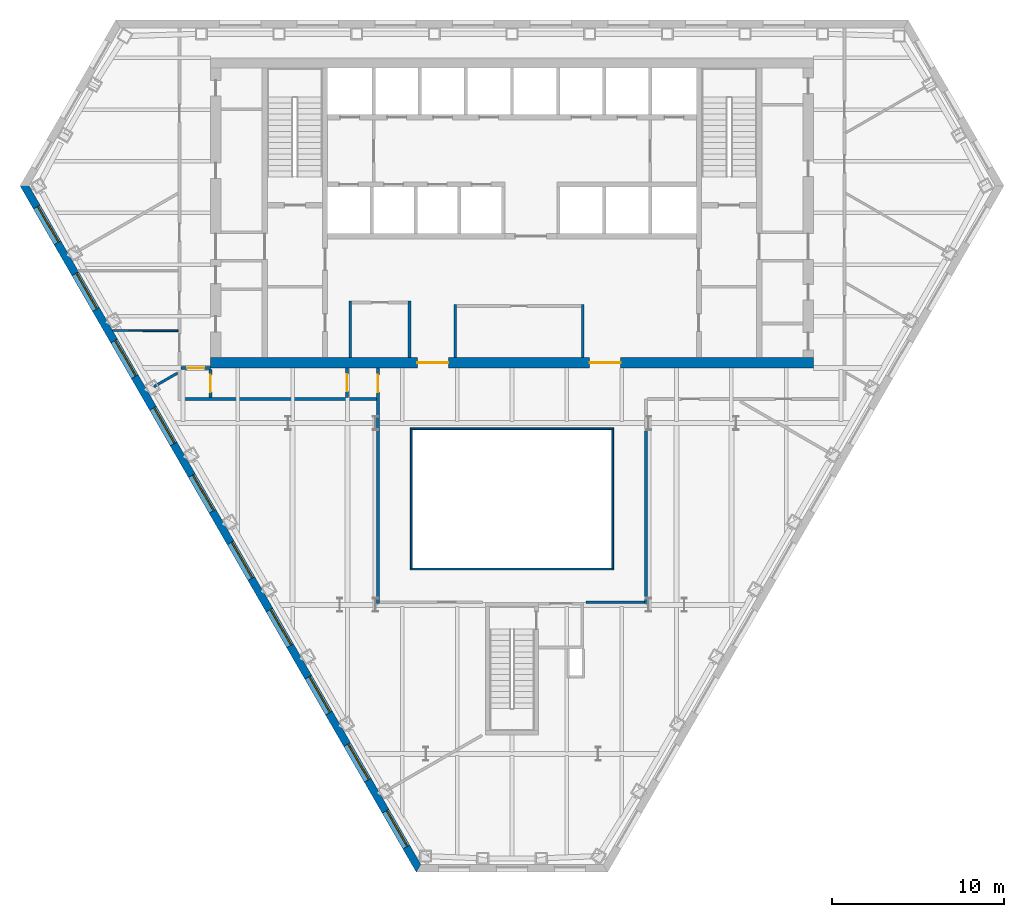
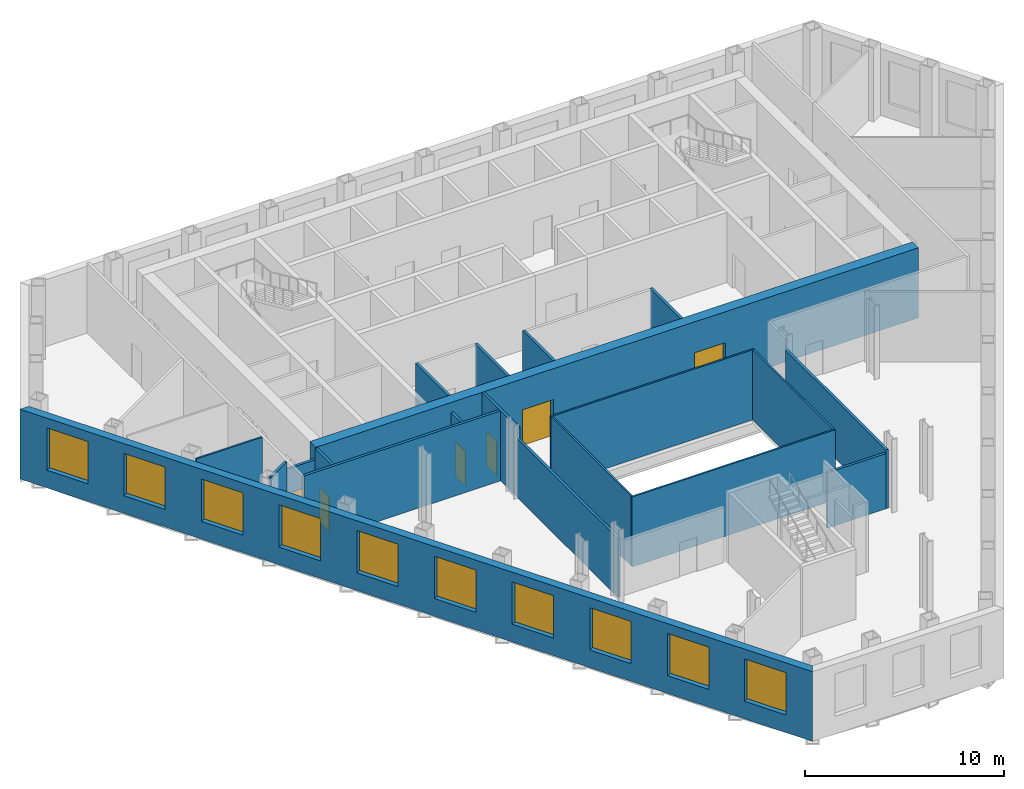
# One storey, part 5 of 12: 20 walls, 10 windows, 6 doors, 16 openings.
"""IFC4 building model written with IfcOpenShell, lengths in metres."""

from ifc_helpers import new_model, si_unit, direction, frame, frame_2d, origin, place, context, subcontext, project, spatial, polyline, rectangle, outline, extrude, material, layer, layer_set, type_object, element, fill, save


model = new_model("IFC4")

# Units and contexts
model_context = context("Model", 3, precision=1e-05, world=origin(), true_north=direction((0.0, 1.0)))
body_context = subcontext(model_context, "Body", "Model", "MODEL_VIEW")
ifc_project = project(units=[si_unit("LENGTHUNIT", "METRE"), si_unit("AREAUNIT", "SQUARE_METRE"), si_unit("VOLUMEUNIT", "CUBIC_METRE"), si_unit("PLANEANGLEUNIT", "RADIAN"), si_unit("MASSUNIT", "GRAM", prefix="KILO")], contexts=[model_context])

# Site, building, storey
site_placement = place(None, origin())
site = spatial("IfcSite", under=ifc_project, at=site_placement, CompositionType="ELEMENT")
building_placement = place(site_placement, origin())
building = spatial("IfcBuilding", under=site, at=building_placement, Name="Njiva Tower", CompositionType="ELEMENT")
storey_placement = place(building_placement, frame((0.0, 0.0, 60.3)))
storey = spatial("IfcBuildingStorey", under=building, at=storey_placement, Name="L12", CompositionType="ELEMENT", Elevation=60.3)

# Walls
ifc_material_1 = material(Name="Blockwork", Category="masonry")
ifc_layer_1 = layer(ifc_material_1, 0.15)
ifc_layer_set_1 = layer_set([ifc_layer_1], Name="Blockwork")
wall_type_1 = type_object("IfcWallType", Name="WT1 Compartment partition 150", PredefinedType="PARTITIONING", material=ifc_layer_set_1)
for number, where, z_axis, x_axis, name in (
    (1, (-9.4, 0.6, 0.0), (0.0, 0.0, 1.0), (0.0, 1.0, 0.0), "Security office wall west"),
    (2, (-5.95, 0.6, 0.0), (0.0, 0.0, 1.0), (0.0, 1.0, 0.0), "Security office wall east"),
):
    element("IfcWall", number, at=place(storey_placement, frame(where, z_axis=z_axis, x_axis=x_axis)), inside=storey, type_object=wall_type_1, Name=name, PredefinedType="PARTITIONING", context=body_context, shape_type="SweptSolid", body=[
        extrude(rectangle(XDim=3.275, YDim=0.15, at=frame_2d((1.6375, 0.0))), origin(), (0.0, 0.0, 1.0), 4.3),
    ])
for number, where, z_axis, x_axis, name in (
    (3, (-3.3, 0.6, 0.0), (0.0, 0.0, 1.0), (0.0, 1.0, 0.0), "Concierge office wall west"),
    (4, (4.1, 0.6, 0.0), (0.0, 0.0, 1.0), (0.0, 1.0, 0.0), "Concierge office wall east"),
):
    element("IfcWall", number, at=place(storey_placement, frame(where, z_axis=z_axis, x_axis=x_axis)), inside=storey, type_object=wall_type_1, Name=name, PredefinedType="PARTITIONING", context=body_context, shape_type="SweptSolid", body=[
        extrude(rectangle(XDim=3.075, YDim=0.15, at=frame_2d((1.5375, 0.0))), origin(), (0.0, 0.0, 1.0), 4.3),
    ])

# Wall, openings, doors
ifc_material_2 = material(Name="Concrete C60/75", Category="concrete")
ifc_layer_2 = layer(ifc_material_2, 0.6)
ifc_layer_set_2 = layer_set([ifc_layer_2], Name="Concrete C60/75")
wall_type_2 = type_object("IfcWallType", Name="WT15 Core wall 600", PredefinedType="SHEAR", material=ifc_layer_set_2)
wall_1_placement = place(storey_placement, frame((-17.5, 0.3, 0.0), z_axis=(0.0, 0.0, 1.0), x_axis=(1.0, 0.0, 0.0)))
wall_1 = element("IfcWall", 5, at=wall_1_placement, inside=storey, type_object=wall_type_2, Name="Core wall south", PredefinedType="SHEAR", context=body_context, shape_type="SweptSolid", body=[
    extrude(rectangle(XDim=35.0, YDim=0.6, at=frame_2d((17.5, 0.0))), origin(), (0.0, 0.0, 1.0), 4.3),
])
opening_1_placement = place(wall_1_placement, frame((12.0, 0.0, 0.0)))
opening_1 = element("IfcOpeningElement", 6, at=opening_1_placement, cuts=wall_1, Name="Opening S04-D935", PredefinedType="OPENING", context=body_context, shape_type="SweptSolid", body=[
    extrude(rectangle(XDim=1.8, YDim=2.4, at=frame_2d((0.9, 1.2))), frame((0.0, 0.31, 0.0), z_axis=(0.0, -1.0, 0.0), x_axis=(1.0, 0.0, 0.0)), (0.0, 0.0, 1.0), 0.62),
])
opening_2_placement = place(wall_1_placement, frame((22.0, 0.0, 0.0)))
opening_2 = element("IfcOpeningElement", 7, at=opening_2_placement, cuts=wall_1, Name="Opening S04-D936", PredefinedType="OPENING", context=body_context, shape_type="SweptSolid", body=[
    extrude(rectangle(XDim=1.8, YDim=2.4, at=frame_2d((0.9, 1.2))), frame((0.0, 0.31, 0.0), z_axis=(0.0, -1.0, 0.0), x_axis=(1.0, 0.0, 0.0)), (0.0, 0.0, 1.0), 0.62),
])
ifc_material_3 = material(Name="Steel and glass door", Category="steel")
door_type_1 = type_object("IfcDoorType", Name="D3 Core entrance door 1800x2400", OperationType="DOUBLE_DOOR_SINGLE_SWING", PredefinedType="DOOR", material=ifc_material_3)
door_1_placement = place(opening_1_placement, origin())
door_1 = element("IfcDoor", 8, at=door_1_placement, inside=storey, type_object=door_type_1, Name="Core entrance door", OperationType="DOUBLE_DOOR_SINGLE_SWING", OverallHeight=2.4, OverallWidth=1.8, PredefinedType="DOOR", context=body_context, shape_type="SweptSolid", body=[
    extrude(rectangle(XDim=1.8, YDim=2.4, at=frame_2d((0.9, 1.2))), frame((0.0, 0.025, 0.0), z_axis=(0.0, -1.0, 0.0), x_axis=(1.0, 0.0, 0.0)), (0.0, 0.0, 1.0), 0.05),
])
fill(opening_1, door_1)
door_2_placement = place(opening_2_placement, origin())
door_2 = element("IfcDoor", 9, at=door_2_placement, inside=storey, type_object=door_type_1, Name="Core entrance door", OperationType="DOUBLE_DOOR_SINGLE_SWING", OverallHeight=2.4, OverallWidth=1.8, PredefinedType="DOOR", context=body_context, shape_type="SweptSolid", body=[
    extrude(rectangle(XDim=1.8, YDim=2.4, at=frame_2d((0.9, 1.2))), frame((0.0, 0.025, 0.0), z_axis=(0.0, -1.0, 0.0), x_axis=(1.0, 0.0, 0.0)), (0.0, 0.0, 1.0), 0.05),
])
fill(opening_2, door_2)

# Walls
ifc_material_4 = material(Name="Gypsum board on steel studs", Category="gypsum")
ifc_layer_3 = layer(ifc_material_4, 0.1)
ifc_layer_set_3 = layer_set([ifc_layer_3], Name="Gypsum board on steel studs")
wall_type_3 = type_object("IfcWallType", Name="WT20 Gypsum partition 100", PredefinedType="PARTITIONING", material=ifc_layer_set_3)
wall_2_placement = place(storey_placement, frame((-23.185, 2.171, 0.0), z_axis=(0.0, 0.0, 1.0), x_axis=(0.999998312223, -0.00183726724, 0.0)))
element("IfcWall", 10, at=wall_2_placement, inside=storey, type_object=wall_type_3, Name="Partition S04-P003", PredefinedType="PARTITIONING", context=body_context, shape_type="SweptSolid", body=[
    extrude(rectangle(XDim=3.81, YDim=0.1, at=frame_2d((1.905, 0.0))), origin(), (0.0, 0.0, 1.0), 4.3),
])
ifc_layer_4 = layer(ifc_material_4, 0.15)
ifc_layer_set_4 = layer_set([ifc_layer_4], Name="Gypsum board on steel studs")
wall_type_4 = type_object("IfcWallType", Name="WT21 Compartment wall 150", PredefinedType="PARTITIONING", material=ifc_layer_set_4)
wall_3_placement = place(storey_placement, frame((-20.787, -1.084, 0.0), z_axis=(0.0, 0.0, 1.0), x_axis=(0.866258995887, 0.499595188173, 0.0)))
element("IfcWall", 11, at=wall_3_placement, inside=storey, type_object=wall_type_4, Name="Partition S04-P004", PredefinedType="PARTITIONING", context=body_context, shape_type="SweptSolid", body=[
    extrude(rectangle(XDim=1.5873, YDim=0.15, at=frame_2d((0.7936, 0.0))), origin(), (0.0, 0.0, 1.0), 4.3),
])
wall_4_placement = place(storey_placement, frame((-19.225, -1.8, 0.0), z_axis=(0.0, 0.0, 1.0), x_axis=(1.0, 0.0, 0.0)))
element("IfcWall", 12, at=wall_4_placement, inside=storey, type_object=wall_type_4, Name="Partition S04-P006", PredefinedType="PARTITIONING", context=body_context, shape_type="SweptSolid", body=[
    extrude(rectangle(XDim=11.37, YDim=0.15, at=frame_2d((5.685, 0.0))), origin(), (0.0, 0.0, 1.0), 4.3),
])

# Wall, opening, door
wall_5_placement = place(storey_placement, frame((-19.225, 0.0, 0.0), z_axis=(0.0, 0.0, 1.0), x_axis=(1.0, 0.0, 0.0)))
wall_5 = element("IfcWall", 13, at=wall_5_placement, inside=storey, type_object=wall_type_4, Name="Partition S04-P007", PredefinedType="PARTITIONING", context=body_context, shape_type="SweptSolid", body=[
    extrude(rectangle(XDim=1.725, YDim=0.15, at=frame_2d((0.8625, 0.0))), origin(), (0.0, 0.0, 1.0), 3.61),
])
opening_3_placement = place(wall_5_placement, frame((0.363, 0.0, 0.0)))
opening_3 = element("IfcOpeningElement", 14, at=opening_3_placement, cuts=wall_5, Name="Opening S04-D005", PredefinedType="OPENING", context=body_context, shape_type="SweptSolid", body=[
    extrude(rectangle(XDim=1.0, YDim=2.1, at=frame_2d((0.5, 1.05))), frame((0.0, 0.085, 0.0), z_axis=(0.0, -1.0, 0.0), x_axis=(1.0, 0.0, 0.0)), (0.0, 0.0, 1.0), 0.17),
])
ifc_material_5 = material(Name="Steel fire door set", Category="steel")
door_type_2 = type_object("IfcDoorType", Name="D37 Fire door 1000x2100", OperationType="SINGLE_SWING_LEFT", PredefinedType="DOOR", material=ifc_material_5)
door_3_placement = place(opening_3_placement, origin())
door_3 = element("IfcDoor", 15, at=door_3_placement, inside=storey, type_object=door_type_2, Name="Door S04-D005", OperationType="SINGLE_SWING_LEFT", OverallHeight=2.1, OverallWidth=1.0, PredefinedType="DOOR", context=body_context, shape_type="SweptSolid", body=[
    extrude(rectangle(XDim=1.0, YDim=2.1, at=frame_2d((0.5, 1.05))), frame((0.0, 0.025, 0.0), z_axis=(0.0, -1.0, 0.0), x_axis=(1.0, 0.0, 0.0)), (0.0, 0.0, 1.0), 0.05),
])
fill(opening_3, door_3)

wall_6_placement = place(storey_placement, frame((-17.5, -1.725, 0.0), z_axis=(0.0, 0.0, 1.0), x_axis=(0.0, 1.0, 0.0)))
wall_6 = element("IfcWall", 16, at=wall_6_placement, inside=storey, type_object=wall_type_4, Name="Partition S04-P008", PredefinedType="PARTITIONING", context=body_context, shape_type="SweptSolid", body=[
    extrude(rectangle(XDim=1.65, YDim=0.15, at=frame_2d((0.825, 0.0))), origin(), (0.0, 0.0, 1.0), 4.3),
])
opening_4_placement = place(wall_6_placement, frame((0.325, 0.0, 0.0)))
opening_4 = element("IfcOpeningElement", 17, at=opening_4_placement, cuts=wall_6, Name="Opening S04-D006", PredefinedType="OPENING", context=body_context, shape_type="SweptSolid", body=[
    extrude(rectangle(XDim=1.0, YDim=2.1, at=frame_2d((0.5, 1.05))), frame((0.0, 0.085, 0.0), z_axis=(0.0, -1.0, 0.0), x_axis=(1.0, 0.0, 0.0)), (0.0, 0.0, 1.0), 0.17),
])
door_4_placement = place(opening_4_placement, origin())
door_4 = element("IfcDoor", 18, at=door_4_placement, inside=storey, type_object=door_type_2, Name="Door S04-D006", OperationType="SINGLE_SWING_LEFT", OverallHeight=2.1, OverallWidth=1.0, PredefinedType="DOOR", context=body_context, shape_type="SweptSolid", body=[
    extrude(rectangle(XDim=1.0, YDim=2.1, at=frame_2d((0.5, 1.05))), frame((0.0, 0.025, 0.0), z_axis=(0.0, -1.0, 0.0), x_axis=(1.0, 0.0, 0.0)), (0.0, 0.0, 1.0), 0.05),
])
fill(opening_4, door_4)

wall_7_placement = place(storey_placement, frame((-9.58, -1.725, 0.0), z_axis=(0.0, 0.0, 1.0), x_axis=(0.0, 1.0, 0.0)))
wall_7 = element("IfcWall", 19, at=wall_7_placement, inside=storey, type_object=wall_type_4, Name="Partition S04-P009", PredefinedType="PARTITIONING", context=body_context, shape_type="SweptSolid", body=[
    extrude(rectangle(XDim=1.725, YDim=0.15, at=frame_2d((0.8625, 0.0))), origin(), (0.0, 0.0, 1.0), 3.7),
])
opening_5_placement = place(wall_7_placement, frame((0.363, 0.0, 0.0)))
opening_5 = element("IfcOpeningElement", 20, at=opening_5_placement, cuts=wall_7, Name="Opening S04-D007", PredefinedType="OPENING", context=body_context, shape_type="SweptSolid", body=[
    extrude(rectangle(XDim=1.0, YDim=2.1, at=frame_2d((0.5, 1.05))), frame((0.0, 0.085, 0.0), z_axis=(0.0, -1.0, 0.0), x_axis=(1.0, 0.0, 0.0)), (0.0, 0.0, 1.0), 0.17),
])
door_5_placement = place(opening_5_placement, origin())
door_5 = element("IfcDoor", 21, at=door_5_placement, inside=storey, type_object=door_type_2, Name="Door S04-D007", OperationType="SINGLE_SWING_LEFT", OverallHeight=2.1, OverallWidth=1.0, PredefinedType="DOOR", context=body_context, shape_type="SweptSolid", body=[
    extrude(rectangle(XDim=1.0, YDim=2.1, at=frame_2d((0.5, 1.05))), frame((0.0, 0.025, 0.0), z_axis=(0.0, -1.0, 0.0), x_axis=(1.0, 0.0, 0.0)), (0.0, 0.0, 1.0), 0.05),
])
fill(opening_5, door_5)

# Wall
wall_8_placement = place(storey_placement, frame((-7.78, -13.675, 0.0), z_axis=(0.0, 0.0, 1.0), x_axis=(0.0, 1.0, 0.0)))
element("IfcWall", 22, at=wall_8_placement, inside=storey, type_object=wall_type_4, Name="Partition S04-P010", PredefinedType="PARTITIONING", context=body_context, shape_type="SweptSolid", body=[
    extrude(rectangle(XDim=10.118, YDim=0.15, at=frame_2d((5.059, 0.0))), origin(), (0.0, 0.0, 1.0), 3.61),
])

# Wall, opening, door
wall_9_placement = place(storey_placement, frame((-7.78, -3.557, 0.0), z_axis=(0.0, 0.0, 1.0), x_axis=(0.0, 1.0, 0.0)))
wall_9 = element("IfcWall", 23, at=wall_9_placement, inside=storey, type_object=wall_type_4, Name="Partition S04-P010A", PredefinedType="PARTITIONING", context=body_context, shape_type="SweptSolid", body=[
    extrude(rectangle(XDim=3.557, YDim=0.15, at=frame_2d((1.7785, 0.0))), origin(), (0.0, 0.0, 1.0), 4.3),
])
opening_6_placement = place(wall_9_placement, frame((2.157, 0.0, 0.0)))
opening_6 = element("IfcOpeningElement", 24, at=opening_6_placement, cuts=wall_9, Name="Opening S04-D008", PredefinedType="OPENING", context=body_context, shape_type="SweptSolid", body=[
    extrude(rectangle(XDim=1.0, YDim=2.1, at=frame_2d((0.5, 1.05))), frame((0.0, 0.085, 0.0), z_axis=(0.0, -1.0, 0.0), x_axis=(1.0, 0.0, 0.0)), (0.0, 0.0, 1.0), 0.17),
])
door_6_placement = place(opening_6_placement, origin())
door_6 = element("IfcDoor", 25, at=door_6_placement, inside=storey, type_object=door_type_2, Name="Door S04-D008", OperationType="SINGLE_SWING_LEFT", OverallHeight=2.1, OverallWidth=1.0, PredefinedType="DOOR", context=body_context, shape_type="SweptSolid", body=[
    extrude(rectangle(XDim=1.0, YDim=2.1, at=frame_2d((0.5, 1.05))), frame((0.0, 0.025, 0.0), z_axis=(0.0, -1.0, 0.0), x_axis=(1.0, 0.0, 0.0)), (0.0, 0.0, 1.0), 0.05),
])
fill(opening_6, door_6)

# Walls
wall_10_placement = place(storey_placement, frame((4.3, -13.6, 0.0), z_axis=(0.0, 0.0, 1.0), x_axis=(1.0, 0.0, 0.0)))
element("IfcWall", 26, at=wall_10_placement, inside=storey, type_object=wall_type_4, Name="Partition S04-P013", PredefinedType="PARTITIONING", context=body_context, shape_type="SweptSolid", body=[
    extrude(rectangle(XDim=3.405, YDim=0.15, at=frame_2d((1.7025, 0.0))), origin(), (0.0, 0.0, 1.0), 3.39),
])
wall_11_placement = place(storey_placement, frame((7.78, -13.675, 0.0), z_axis=(0.0, 0.0, 1.0), x_axis=(0.0, 1.0, 0.0)))
element("IfcWall", 27, at=wall_11_placement, inside=storey, type_object=wall_type_4, Name="Partition S04-P014", PredefinedType="PARTITIONING", context=body_context, shape_type="SweptSolid", body=[
    extrude(rectangle(XDim=10.118, YDim=0.15, at=frame_2d((5.059, 0.0))), origin(), (0.0, 0.0, 1.0), 3.61),
])

# Wall, openings, windows
ifc_material_6 = material(Name="Brick masonry", Category="masonry")
ifc_layer_5 = layer(ifc_material_6, 0.45)
ifc_layer_set_5 = layer_set([ifc_layer_5], Name="Brick masonry")
wall_type_5 = type_object("IfcWallType", Name="WT90 Brick pier and spandrel wall 450", PredefinedType="SOLIDWALL", material=ifc_layer_set_5)
wall_12_placement = place(storey_placement, frame((-28.3002, 10.5785, -0.18), z_axis=(0.0, 0.0, 1.0), x_axis=(0.499999388847, -0.866025756634, 0.0)))
wall_12 = element("IfcWall", 28, at=wall_12_placement, inside=storey, type_object=wall_type_5, Name="Facade wall SW", PredefinedType="SOLIDWALL", context=body_context, shape_type="SweptSolid", body=[
    extrude(outline(polyline([(-0.1299, -0.225), (45.8802, -0.225), (45.6204, 0.225), (0.1299, 0.225), (-0.1299, -0.225)])), origin(), (0.0, 0.0, 1.0), 4.28),
])
opening_7_placement = place(wall_12_placement, frame((1.4247, 0.0, 1.08)))
opening_7 = element("IfcOpeningElement", 29, at=opening_7_placement, cuts=wall_12, Name="Opening S04-W12", PredefinedType="OPENING", context=body_context, shape_type="SweptSolid", body=[
    extrude(rectangle(XDim=2.4, YDim=2.6, at=frame_2d((1.2, 1.3))), frame((0.0, 0.235, 0.0), z_axis=(0.0, -1.0, 0.0), x_axis=(1.0, 0.0, 0.0)), (0.0, 0.0, 1.0), 0.47),
])
opening_8_placement = place(wall_12_placement, frame((5.8949, 0.0, 1.08)))
opening_8 = element("IfcOpeningElement", 30, at=opening_8_placement, cuts=wall_12, Name="Opening S04-W13", PredefinedType="OPENING", context=body_context, shape_type="SweptSolid", body=[
    extrude(rectangle(XDim=2.4, YDim=2.6, at=frame_2d((1.2, 1.3))), frame((0.0, 0.235, 0.0), z_axis=(0.0, -1.0, 0.0), x_axis=(1.0, 0.0, 0.0)), (0.0, 0.0, 1.0), 0.47),
])
opening_9_placement = place(wall_12_placement, frame((10.4035, 0.0, 1.08)))
opening_9 = element("IfcOpeningElement", 31, at=opening_9_placement, cuts=wall_12, Name="Opening S04-W14", PredefinedType="OPENING", context=body_context, shape_type="SweptSolid", body=[
    extrude(rectangle(XDim=2.4, YDim=2.6, at=frame_2d((1.2, 1.3))), frame((0.0, 0.235, 0.0), z_axis=(0.0, -1.0, 0.0), x_axis=(1.0, 0.0, 0.0)), (0.0, 0.0, 1.0), 0.47),
])
opening_10_placement = place(wall_12_placement, frame((14.9122, 0.0, 1.08)))
opening_10 = element("IfcOpeningElement", 32, at=opening_10_placement, cuts=wall_12, Name="Opening S04-W15", PredefinedType="OPENING", context=body_context, shape_type="SweptSolid", body=[
    extrude(rectangle(XDim=2.4, YDim=2.6, at=frame_2d((1.2, 1.3))), frame((0.0, 0.235, 0.0), z_axis=(0.0, -1.0, 0.0), x_axis=(1.0, 0.0, 0.0)), (0.0, 0.0, 1.0), 0.47),
])
opening_11_placement = place(wall_12_placement, frame((19.4208, 0.0, 1.08)))
opening_11 = element("IfcOpeningElement", 33, at=opening_11_placement, cuts=wall_12, Name="Opening S04-W16", PredefinedType="OPENING", context=body_context, shape_type="SweptSolid", body=[
    extrude(rectangle(XDim=2.4, YDim=2.6, at=frame_2d((1.2, 1.3))), frame((0.0, 0.235, 0.0), z_axis=(0.0, -1.0, 0.0), x_axis=(1.0, 0.0, 0.0)), (0.0, 0.0, 1.0), 0.47),
])
opening_12_placement = place(wall_12_placement, frame((23.9294, 0.0, 1.08)))
opening_12 = element("IfcOpeningElement", 34, at=opening_12_placement, cuts=wall_12, Name="Opening S04-W17", PredefinedType="OPENING", context=body_context, shape_type="SweptSolid", body=[
    extrude(rectangle(XDim=2.4, YDim=2.6, at=frame_2d((1.2, 1.3))), frame((0.0, 0.235, 0.0), z_axis=(0.0, -1.0, 0.0), x_axis=(1.0, 0.0, 0.0)), (0.0, 0.0, 1.0), 0.47),
])
opening_13_placement = place(wall_12_placement, frame((28.438, 0.0, 1.08)))
opening_13 = element("IfcOpeningElement", 35, at=opening_13_placement, cuts=wall_12, Name="Opening S04-W18", PredefinedType="OPENING", context=body_context, shape_type="SweptSolid", body=[
    extrude(rectangle(XDim=2.4, YDim=2.6, at=frame_2d((1.2, 1.3))), frame((0.0, 0.235, 0.0), z_axis=(0.0, -1.0, 0.0), x_axis=(1.0, 0.0, 0.0)), (0.0, 0.0, 1.0), 0.47),
])
opening_14_placement = place(wall_12_placement, frame((32.9466, 0.0, 1.08)))
opening_14 = element("IfcOpeningElement", 36, at=opening_14_placement, cuts=wall_12, Name="Opening S04-W19", PredefinedType="OPENING", context=body_context, shape_type="SweptSolid", body=[
    extrude(rectangle(XDim=2.4, YDim=2.6, at=frame_2d((1.2, 1.3))), frame((0.0, 0.235, 0.0), z_axis=(0.0, -1.0, 0.0), x_axis=(1.0, 0.0, 0.0)), (0.0, 0.0, 1.0), 0.47),
])
opening_15_placement = place(wall_12_placement, frame((37.4553, 0.0, 1.08)))
opening_15 = element("IfcOpeningElement", 37, at=opening_15_placement, cuts=wall_12, Name="Opening S04-W20", PredefinedType="OPENING", context=body_context, shape_type="SweptSolid", body=[
    extrude(rectangle(XDim=2.4, YDim=2.6, at=frame_2d((1.2, 1.3))), frame((0.0, 0.235, 0.0), z_axis=(0.0, -1.0, 0.0), x_axis=(1.0, 0.0, 0.0)), (0.0, 0.0, 1.0), 0.47),
])
opening_16_placement = place(wall_12_placement, frame((41.9255, 0.0, 1.08)))
opening_16 = element("IfcOpeningElement", 38, at=opening_16_placement, cuts=wall_12, Name="Opening S04-W21", PredefinedType="OPENING", context=body_context, shape_type="SweptSolid", body=[
    extrude(rectangle(XDim=2.4, YDim=2.6, at=frame_2d((1.2, 1.3))), frame((0.0, 0.235, 0.0), z_axis=(0.0, -1.0, 0.0), x_axis=(1.0, 0.0, 0.0)), (0.0, 0.0, 1.0), 0.47),
])
ifc_material_7 = material(Name="Clear glazing in aluminium frame", Category="aluminium")
window_type = type_object("IfcWindowType", Name="W92 Deep-set window 2400x2600", PartitioningType="SINGLE_PANEL", PredefinedType="WINDOW", material=ifc_material_7)
window_1_placement = place(opening_7_placement, origin())
window_1 = element("IfcWindow", 39, at=window_1_placement, inside=storey, type_object=window_type, Name="Window", OverallHeight=2.6, OverallWidth=2.4, PartitioningType="SINGLE_PANEL", PredefinedType="WINDOW", context=body_context, shape_type="SweptSolid", body=[
    extrude(rectangle(XDim=2.4, YDim=2.6, at=frame_2d((1.2, 1.3))), frame((0.0, 0.105, 0.0), z_axis=(0.0, -1.0, 0.0), x_axis=(1.0, 0.0, 0.0)), (0.0, 0.0, 1.0), 0.06),
])
fill(opening_7, window_1)
window_2_placement = place(opening_8_placement, origin())
window_2 = element("IfcWindow", 40, at=window_2_placement, inside=storey, type_object=window_type, Name="Window", OverallHeight=2.6, OverallWidth=2.4, PartitioningType="SINGLE_PANEL", PredefinedType="WINDOW", context=body_context, shape_type="SweptSolid", body=[
    extrude(rectangle(XDim=2.4, YDim=2.6, at=frame_2d((1.2, 1.3))), frame((0.0, 0.105, 0.0), z_axis=(0.0, -1.0, 0.0), x_axis=(1.0, 0.0, 0.0)), (0.0, 0.0, 1.0), 0.06),
])
fill(opening_8, window_2)
window_3_placement = place(opening_9_placement, origin())
window_3 = element("IfcWindow", 41, at=window_3_placement, inside=storey, type_object=window_type, Name="Window", OverallHeight=2.6, OverallWidth=2.4, PartitioningType="SINGLE_PANEL", PredefinedType="WINDOW", context=body_context, shape_type="SweptSolid", body=[
    extrude(rectangle(XDim=2.4, YDim=2.6, at=frame_2d((1.2, 1.3))), frame((0.0, 0.105, 0.0), z_axis=(0.0, -1.0, 0.0), x_axis=(1.0, 0.0, 0.0)), (0.0, 0.0, 1.0), 0.06),
])
fill(opening_9, window_3)
window_4_placement = place(opening_10_placement, origin())
window_4 = element("IfcWindow", 42, at=window_4_placement, inside=storey, type_object=window_type, Name="Window", OverallHeight=2.6, OverallWidth=2.4, PartitioningType="SINGLE_PANEL", PredefinedType="WINDOW", context=body_context, shape_type="SweptSolid", body=[
    extrude(rectangle(XDim=2.4, YDim=2.6, at=frame_2d((1.2, 1.3))), frame((0.0, 0.105, 0.0), z_axis=(0.0, -1.0, 0.0), x_axis=(1.0, 0.0, 0.0)), (0.0, 0.0, 1.0), 0.06),
])
fill(opening_10, window_4)
window_5_placement = place(opening_11_placement, origin())
window_5 = element("IfcWindow", 43, at=window_5_placement, inside=storey, type_object=window_type, Name="Window", OverallHeight=2.6, OverallWidth=2.4, PartitioningType="SINGLE_PANEL", PredefinedType="WINDOW", context=body_context, shape_type="SweptSolid", body=[
    extrude(rectangle(XDim=2.4, YDim=2.6, at=frame_2d((1.2, 1.3))), frame((0.0, 0.105, 0.0), z_axis=(0.0, -1.0, 0.0), x_axis=(1.0, 0.0, 0.0)), (0.0, 0.0, 1.0), 0.06),
])
fill(opening_11, window_5)
window_6_placement = place(opening_12_placement, origin())
window_6 = element("IfcWindow", 44, at=window_6_placement, inside=storey, type_object=window_type, Name="Window", OverallHeight=2.6, OverallWidth=2.4, PartitioningType="SINGLE_PANEL", PredefinedType="WINDOW", context=body_context, shape_type="SweptSolid", body=[
    extrude(rectangle(XDim=2.4, YDim=2.6, at=frame_2d((1.2, 1.3))), frame((0.0, 0.105, 0.0), z_axis=(0.0, -1.0, 0.0), x_axis=(1.0, 0.0, 0.0)), (0.0, 0.0, 1.0), 0.06),
])
fill(opening_12, window_6)
window_7_placement = place(opening_13_placement, origin())
window_7 = element("IfcWindow", 45, at=window_7_placement, inside=storey, type_object=window_type, Name="Window", OverallHeight=2.6, OverallWidth=2.4, PartitioningType="SINGLE_PANEL", PredefinedType="WINDOW", context=body_context, shape_type="SweptSolid", body=[
    extrude(rectangle(XDim=2.4, YDim=2.6, at=frame_2d((1.2, 1.3))), frame((0.0, 0.105, 0.0), z_axis=(0.0, -1.0, 0.0), x_axis=(1.0, 0.0, 0.0)), (0.0, 0.0, 1.0), 0.06),
])
fill(opening_13, window_7)
window_8_placement = place(opening_14_placement, origin())
window_8 = element("IfcWindow", 46, at=window_8_placement, inside=storey, type_object=window_type, Name="Window", OverallHeight=2.6, OverallWidth=2.4, PartitioningType="SINGLE_PANEL", PredefinedType="WINDOW", context=body_context, shape_type="SweptSolid", body=[
    extrude(rectangle(XDim=2.4, YDim=2.6, at=frame_2d((1.2, 1.3))), frame((0.0, 0.105, 0.0), z_axis=(0.0, -1.0, 0.0), x_axis=(1.0, 0.0, 0.0)), (0.0, 0.0, 1.0), 0.06),
])
fill(opening_14, window_8)
window_9_placement = place(opening_15_placement, origin())
window_9 = element("IfcWindow", 47, at=window_9_placement, inside=storey, type_object=window_type, Name="Window", OverallHeight=2.6, OverallWidth=2.4, PartitioningType="SINGLE_PANEL", PredefinedType="WINDOW", context=body_context, shape_type="SweptSolid", body=[
    extrude(rectangle(XDim=2.4, YDim=2.6, at=frame_2d((1.2, 1.3))), frame((0.0, 0.105, 0.0), z_axis=(0.0, -1.0, 0.0), x_axis=(1.0, 0.0, 0.0)), (0.0, 0.0, 1.0), 0.06),
])
fill(opening_15, window_9)
window_10_placement = place(opening_16_placement, origin())
window_10 = element("IfcWindow", 48, at=window_10_placement, inside=storey, type_object=window_type, Name="Window", OverallHeight=2.6, OverallWidth=2.4, PartitioningType="SINGLE_PANEL", PredefinedType="WINDOW", context=body_context, shape_type="SweptSolid", body=[
    extrude(rectangle(XDim=2.4, YDim=2.6, at=frame_2d((1.2, 1.3))), frame((0.0, 0.105, 0.0), z_axis=(0.0, -1.0, 0.0), x_axis=(1.0, 0.0, 0.0)), (0.0, 0.0, 1.0), 0.06),
])
fill(opening_16, window_10)

# Walls
ifc_material_8 = material(Name="Fire-resisting glazing EI 90", Category="glass")
ifc_layer_6 = layer(ifc_material_8, 0.1)
ifc_layer_set_6 = layer_set([ifc_layer_6], Name="Fire-resisting glazing EI 90")
wall_type_6 = type_object("IfcWallType", Name="WT95 Fire-resisting glazed screen EI 90", PredefinedType="PARTITIONING", material=ifc_layer_set_6)
wall_13_placement = place(storey_placement, frame((-5.9, -11.67, 0.0), z_axis=(0.0, 0.0, 1.0), x_axis=(1.0, 0.0, 0.0)))
element("IfcWall", 49, at=wall_13_placement, inside=storey, type_object=wall_type_6, Name="Atrium fire screen south", PredefinedType="PARTITIONING", context=body_context, shape_type="SweptSolid", body=[
    extrude(rectangle(XDim=11.8, YDim=0.1, at=frame_2d((5.9, 0.0))), origin(), (0.0, 0.0, 1.0), 4.3),
])
wall_14_placement = place(storey_placement, frame((5.85, -11.62, 0.0), z_axis=(0.0, 0.0, 1.0), x_axis=(0.0, 1.0, 0.0)))
element("IfcWall", 50, at=wall_14_placement, inside=storey, type_object=wall_type_6, Name="Atrium fire screen east", PredefinedType="PARTITIONING", context=body_context, shape_type="SweptSolid", body=[
    extrude(rectangle(XDim=8.04, YDim=0.1, at=frame_2d((4.02, 0.0))), origin(), (0.0, 0.0, 1.0), 4.3),
])
wall_15_placement = place(storey_placement, frame((5.9, -3.53, 0.0), z_axis=(0.0, 0.0, 1.0), x_axis=(-1.0, 0.0, 0.0)))
element("IfcWall", 51, at=wall_15_placement, inside=storey, type_object=wall_type_6, Name="Atrium fire screen north", PredefinedType="PARTITIONING", context=body_context, shape_type="SweptSolid", body=[
    extrude(rectangle(XDim=11.8, YDim=0.1, at=frame_2d((5.9, 0.0))), origin(), (0.0, 0.0, 1.0), 4.3),
])
wall_16_placement = place(storey_placement, frame((-5.85, -3.58, 0.0), z_axis=(0.0, 0.0, 1.0), x_axis=(0.0, -1.0, 0.0)))
element("IfcWall", 52, at=wall_16_placement, inside=storey, type_object=wall_type_6, Name="Atrium fire screen west", PredefinedType="PARTITIONING", context=body_context, shape_type="SweptSolid", body=[
    extrude(rectangle(XDim=8.04, YDim=0.1, at=frame_2d((4.02, 0.0))), origin(), (0.0, 0.0, 1.0), 4.3),
])

save(model, "model.ifc")
